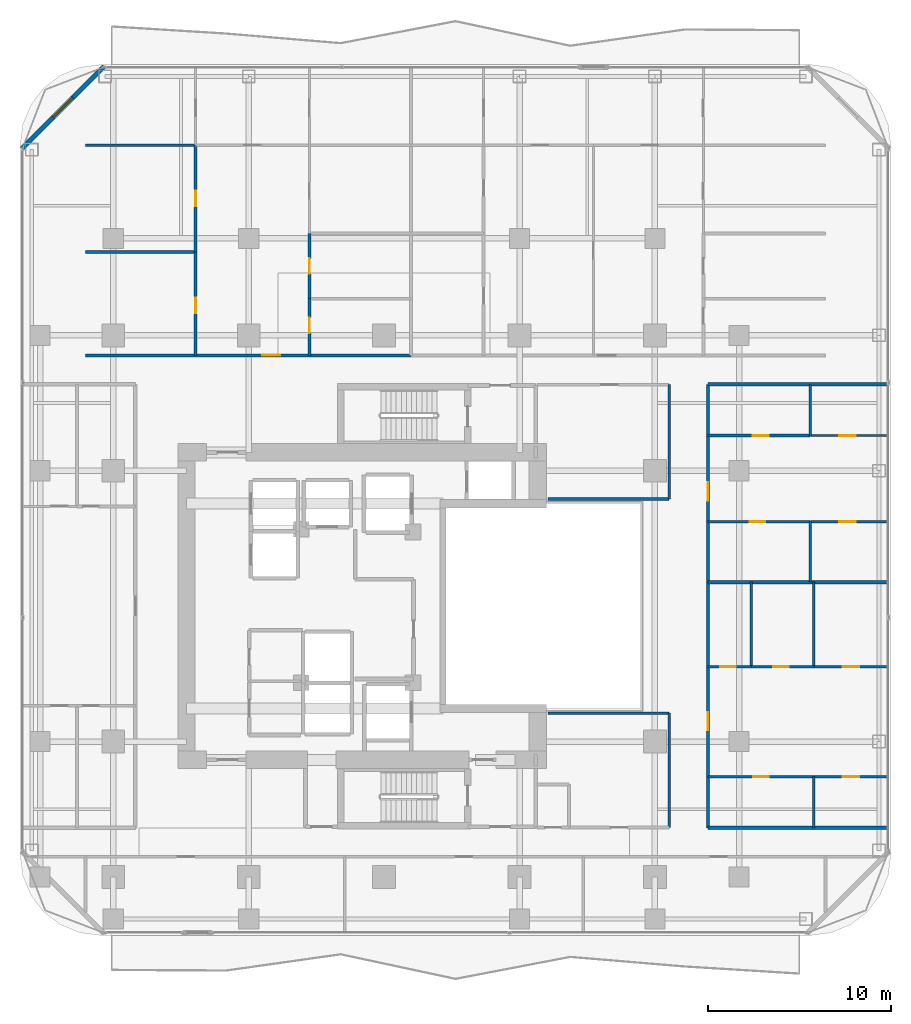
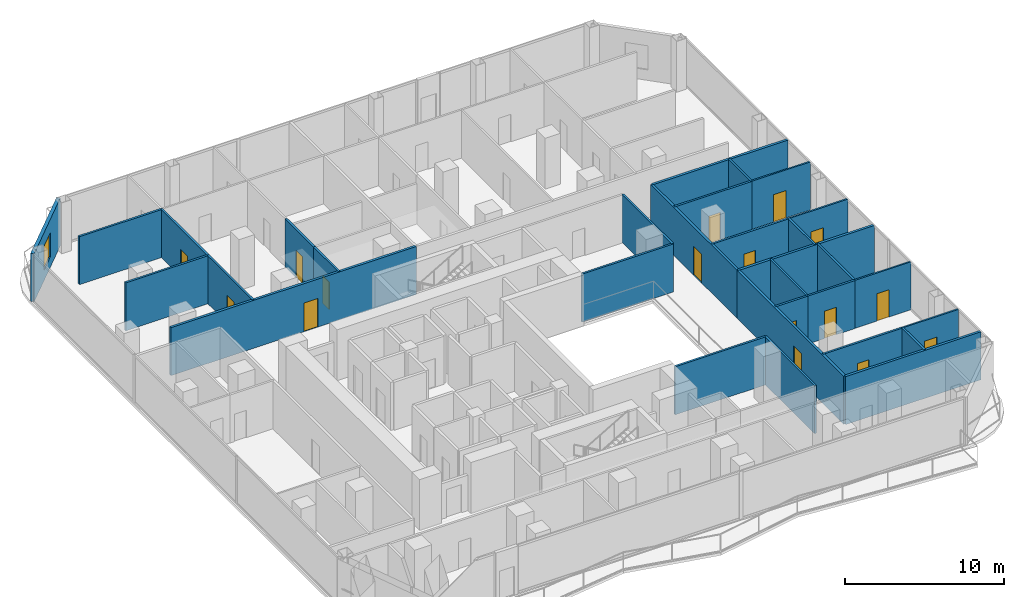
# One storey, part 22 of 27: 31 walls, 16 doors, 1 window, 17 openings.
"""IFC4 building model written with IfcOpenShell, lengths in metres."""

from ifc_helpers import new_model, si_unit, direction, frame, frame_2d, origin, place, context, subcontext, project, spatial, rectangle, extrude, material, layer, layer_set, type_object, element, fill, save


model = new_model("IFC4")

# Units and contexts
model_context = context("Model", 3, precision=1e-05, world=origin(), true_north=direction((0.0, 1.0)))
body_context = subcontext(model_context, "Body", "Model", "MODEL_VIEW")
ifc_project = project(units=[si_unit("LENGTHUNIT", "METRE"), si_unit("AREAUNIT", "SQUARE_METRE"), si_unit("VOLUMEUNIT", "CUBIC_METRE"), si_unit("PLANEANGLEUNIT", "RADIAN"), si_unit("MASSUNIT", "GRAM", prefix="KILO")], contexts=[model_context])

# Site, building, storey
site_placement = place(None, origin())
site = spatial("IfcSite", under=ifc_project, at=site_placement, CompositionType="ELEMENT")
building_placement = place(site_placement, origin())
building = spatial("IfcBuilding", under=site, at=building_placement, Name="Khorvyn Point Tower", CompositionType="ELEMENT")
storey_placement = place(building_placement, frame((0.0, 0.0, 129.0)))
storey = spatial("IfcBuildingStorey", under=building, at=storey_placement, Name="L32", CompositionType="ELEMENT", Elevation=129.0)

# Wall, opening, door
ifc_material_1 = material(Name="Double acoustic gypsum on twin steel stud", Category="steel")
ifc_layer_1 = layer(ifc_material_1, 0.179931640625)
ifc_layer_set_1 = layer_set([ifc_layer_1], Name="Acoustic Double-Stud Apartment Demising Wall 180")
wall_type_1 = type_object("IfcWallType", Name="Acoustic Double-Stud Apartment Demising Wall 180", PredefinedType="PARTITIONING", material=ifc_layer_set_1)
wall_1_placement = place(storey_placement, frame((-16.320068359375, 13.699951171875, 0.0), z_axis=(0.0, 0.0, 1.0), x_axis=(1.0, 0.0, 0.0)))
wall_1 = element("IfcWall", 1, at=wall_1_placement, inside=storey, type_object=wall_type_1, Name="Wall", PredefinedType="PARTITIONING", context=body_context, shape_type="SweptSolid", body=[
    extrude(rectangle(XDim=17.794189453125, YDim=0.179931640625, at=frame_2d((8.89697265625, 0.0))), origin(), (0.0, 0.0, 1.0), 3.679931640625),
])
opening_1_placement = place(wall_1_placement, frame((9.650390625, 0.0, 0.0)))
opening_1 = element("IfcOpeningElement", 2, at=opening_1_placement, cuts=wall_1, Name="Opening ID-AP60", PredefinedType="OPENING", context=body_context, shape_type="SweptSolid", body=[
    extrude(rectangle(XDim=1.0, YDim=2.199951171875, at=frame_2d((0.5, 1.10009765625))), frame((0.0, 0.099853515625, 0.0), z_axis=(0.0, -1.0, 0.0), x_axis=(1.0, 0.0, 0.0)), (0.0, 0.0, 1.0), 0.199951171875),
])
ifc_material_2 = material(Name="Engineered hardwood fire-rated leaf", Category="wood")
door_type_1 = type_object("IfcDoorType", Name="Acoustic Solid-Core Timber Apartment Entrance Door 1000x2200", OperationType="NOTDEFINED", PredefinedType="DOOR", material=ifc_material_2)
door_1_placement = place(opening_1_placement, origin())
door_1 = element("IfcDoor", 3, at=door_1_placement, inside=storey, type_object=door_type_1, Name="Door", OperationType="SINGLE_SWING_RIGHT", OverallHeight=2.199951171875, OverallWidth=1.0, PredefinedType="DOOR", context=body_context, shape_type="SweptSolid", body=[
    extrude(rectangle(XDim=1.0, YDim=2.199951171875, at=frame_2d((0.5, 1.10009765625))), frame((0.0, 0.02490234375, 0.0), z_axis=(0.0, -1.0, 0.0), x_axis=(1.0, 0.0, 0.0)), (0.0, 0.0, 1.0), 0.050048828125),
])
fill(opening_1, door_1)

wall_2_placement = place(storey_placement, frame((17.699951171875, -12.1201171875, 0.0), z_axis=(0.0, 0.0, 1.0), x_axis=(0.0, 1.0, 0.0)))
wall_2 = element("IfcWall", 4, at=wall_2_placement, inside=storey, type_object=wall_type_1, Name="Wall", PredefinedType="PARTITIONING", context=body_context, shape_type="SweptSolid", body=[
    extrude(rectangle(XDim=13.42919921875, YDim=0.179931640625, at=frame_2d((6.714599609375, 0.0))), origin(), (0.0, 0.0, 1.0), 3.679931640625),
])
opening_2_placement = place(wall_2_placement, frame((5.32421875, 0.0, 0.0)))
opening_2 = element("IfcOpeningElement", 5, at=opening_2_placement, cuts=wall_2, Name="Opening ID-AP60", PredefinedType="OPENING", context=body_context, shape_type="SweptSolid", body=[
    extrude(rectangle(XDim=1.0, YDim=2.199951171875, at=frame_2d((0.5, 1.10009765625))), frame((0.0, 0.099853515625, 0.0), z_axis=(0.0, -1.0, 0.0), x_axis=(1.0, 0.0, 0.0)), (0.0, 0.0, 1.0), 0.199951171875),
])
door_2_placement = place(opening_2_placement, origin())
door_2 = element("IfcDoor", 6, at=door_2_placement, inside=storey, type_object=door_type_1, Name="Door", OperationType="SINGLE_SWING_RIGHT", OverallHeight=2.199951171875, OverallWidth=1.0, PredefinedType="DOOR", context=body_context, shape_type="SweptSolid", body=[
    extrude(rectangle(XDim=1.0, YDim=2.199951171875, at=frame_2d((0.5, 1.10009765625))), frame((0.0, 0.02490234375, 0.0), z_axis=(0.0, -1.0, 0.0), x_axis=(1.0, 0.0, 0.0)), (0.0, 0.0, 1.0), 0.050048828125),
])
fill(opening_2, door_2)

wall_3_placement = place(storey_placement, frame((17.699951171875, 1.30908203125, 0.0), z_axis=(0.0, 0.0, 1.0), x_axis=(0.0, 1.0, 0.0)))
wall_3 = element("IfcWall", 7, at=wall_3_placement, inside=storey, type_object=wall_type_1, Name="Wall", PredefinedType="PARTITIONING", context=body_context, shape_type="SweptSolid", body=[
    extrude(rectangle(XDim=10.81103515625, YDim=0.179931640625, at=frame_2d((5.405517578125, 0.0))), origin(), (0.0, 0.0, 1.0), 3.679931640625),
])
opening_3_placement = place(wall_3_placement, frame((4.457763671875, 0.0, 0.0)))
opening_3 = element("IfcOpeningElement", 8, at=opening_3_placement, cuts=wall_3, Name="Opening ID-AP60", PredefinedType="OPENING", context=body_context, shape_type="SweptSolid", body=[
    extrude(rectangle(XDim=1.0, YDim=2.199951171875, at=frame_2d((0.5, 1.10009765625))), frame((0.0, 0.099853515625, 0.0), z_axis=(0.0, -1.0, 0.0), x_axis=(1.0, 0.0, 0.0)), (0.0, 0.0, 1.0), 0.199951171875),
])
door_3_placement = place(opening_3_placement, origin())
door_3 = element("IfcDoor", 9, at=door_3_placement, inside=storey, type_object=door_type_1, Name="Door", OperationType="SINGLE_SWING_RIGHT", OverallHeight=2.199951171875, OverallWidth=1.0, PredefinedType="DOOR", context=body_context, shape_type="SweptSolid", body=[
    extrude(rectangle(XDim=1.0, YDim=2.199951171875, at=frame_2d((0.5, 1.10009765625))), frame((0.0, 0.02490234375, 0.0), z_axis=(0.0, -1.0, 0.0), x_axis=(1.0, 0.0, 0.0)), (0.0, 0.0, 1.0), 0.050048828125),
])
fill(opening_3, door_3)

# Walls
for number, where, z_axis, x_axis, name in (
    (10, (17.699951171875, 1.30908203125, 0.0), (0.0, 0.0, 1.0), (1.0, 0.0, 0.0), "Wall"),
    (11, (17.699951171875, -12.1201171875, 0.0), (0.0, 0.0, 1.0), (1.0, 0.0, 0.0), "Wall"),
    (12, (17.699951171875, 12.1201171875, 0.0), (0.0, 0.0, 1.0), (1.0, 0.0, 0.0), "Wall"),
):
    element("IfcWall", number, at=place(storey_placement, frame(where, z_axis=z_axis, x_axis=x_axis)), inside=storey, type_object=wall_type_1, Name=name, PredefinedType="PARTITIONING", context=body_context, shape_type="SweptSolid", body=[
        extrude(rectangle(XDim=9.830078125, YDim=0.179931640625, at=frame_2d((4.9150390625, 0.0))), origin(), (0.0, 0.0, 1.0), 3.679931640625),
    ])

# Wall, opening, window
ifc_material_3 = material(Name="Pale anodised aluminium rainscreen on steel stud", Category="steel")
ifc_layer_2 = layer(ifc_material_3, 0.239990234375)
ifc_layer_set_2 = layer_set([ifc_layer_2], Name="Anodised Aluminium Insulated Corner Spandrel Wall 240")
wall_type_2 = type_object("IfcWallType", Name="Anodised Aluminium Insulated Corner Spandrel Wall 240", PredefinedType="SOLIDWALL", material=ifc_layer_set_2)
wall_4_placement = place(storey_placement, frame((-19.79248046875, 25.007568359375, 0.0), z_axis=(0.0, 0.0, 1.0), x_axis=(0.707106781187, 0.707106781187, 0.0)))
wall_4 = element("IfcWall", 13, at=wall_4_placement, inside=storey, type_object=wall_type_2, Name="L32 Rounded Corner Wall NW", PredefinedType="SOLIDWALL", context=body_context, shape_type="SweptSolid", body=[
    extrude(rectangle(XDim=6.342529296875, YDim=0.239990234375, at=frame_2d((3.17138671875, 0.0))), origin(), (0.0, 0.0, 1.0), 3.679931640625),
])
opening_4_placement = place(wall_4_placement, frame((2.42138671875, 0.0, 0.800048828125)))
opening_4 = element("IfcOpeningElement", 14, at=opening_4_placement, cuts=wall_4, Name="Opening WN-1518", PredefinedType="OPENING", context=body_context, shape_type="SweptSolid", body=[
    extrude(rectangle(XDim=1.5, YDim=1.85009765625, at=frame_2d((0.75, 0.925048828125))), frame((0.0, 0.1298828125, 0.0), z_axis=(0.0, -1.0, 0.0), x_axis=(1.0, 0.0, 0.0)), (0.0, 0.0, 1.0), 0.260009765625),
])
ifc_material_4 = material(Name="Anodised aluminium 6063-T6 and laminated Low-E glass", Category="aluminium")
window_type = type_object("IfcWindowType", Name="Anodised Aluminium Rounded-Corner Panoramic Window 1500x1850", PartitioningType="SINGLE_PANEL", PredefinedType="WINDOW", material=ifc_material_4)
window_placement = place(opening_4_placement, origin())
window = element("IfcWindow", 15, at=window_placement, inside=storey, type_object=window_type, Name="L32 Corner Panoramic Window NW", OverallHeight=1.85009765625, OverallWidth=1.5, PartitioningType="SINGLE_PANEL", PredefinedType="WINDOW", context=body_context, shape_type="SweptSolid", body=[
    extrude(rectangle(XDim=1.5, YDim=1.85009765625, at=frame_2d((0.75, 0.925048828125))), frame((0.0, 0.030029296875, 0.0), z_axis=(0.0, -1.0, 0.0), x_axis=(1.0, 0.0, 0.0)), (0.0, 0.0, 1.0), 0.06005859375),
])
fill(opening_4, window)

# Wall, opening, door
ifc_material_5 = material(Name="Gypsum plasterboard on steel stud", Category="steel")
ifc_layer_3 = layer(ifc_material_5, 0.1201171875)
ifc_layer_set_3 = layer_set([ifc_layer_3], Name="Gypsum Acoustic Stud Room Partition Wall 120")
wall_type_3 = type_object("IfcWallType", Name="Gypsum Acoustic Stud Room Partition Wall 120", PredefinedType="PARTITIONING", material=ifc_layer_set_3)
wall_5_placement = place(storey_placement, frame((23.486083984375, -9.320068359375, 0.0), z_axis=(0.0, 0.0, 1.0), x_axis=(1.0, 0.0, 0.0)))
wall_5 = element("IfcWall", 16, at=wall_5_placement, inside=storey, type_object=wall_type_3, Name="Wall", PredefinedType="PARTITIONING", context=body_context, shape_type="SweptSolid", body=[
    extrude(rectangle(XDim=4.0439453125, YDim=0.1201171875, at=frame_2d((2.02197265625, 0.0))), origin(), (0.0, 0.0, 1.0), 3.679931640625),
])
opening_5_placement = place(wall_5_placement, frame((1.572021484375, 0.0, 0.0)))
opening_5 = element("IfcOpeningElement", 17, at=opening_5_placement, cuts=wall_5, Name="Opening ID-RM90", PredefinedType="OPENING", context=body_context, shape_type="SweptSolid", body=[
    extrude(rectangle(XDim=0.89990234375, YDim=2.10009765625, at=frame_2d((0.449951171875, 1.050048828125))), frame((0.0, 0.070068359375, 0.0), z_axis=(0.0, -1.0, 0.0), x_axis=(1.0, 0.0, 0.0)), (0.0, 0.0, 1.0), 0.14013671875),
])
ifc_material_6 = material(Name="Engineered oak veneer timber", Category="wood")
door_type_2 = type_object("IfcDoorType", Name="Flush Engineered Timber Room Door 900x2100", OperationType="NOTDEFINED", PredefinedType="DOOR", material=ifc_material_6)
door_4_placement = place(opening_5_placement, origin())
door_4 = element("IfcDoor", 18, at=door_4_placement, inside=storey, type_object=door_type_2, Name="Door", OperationType="SINGLE_SWING_RIGHT", OverallHeight=2.10009765625, OverallWidth=0.89990234375, PredefinedType="DOOR", context=body_context, shape_type="SweptSolid", body=[
    extrude(rectangle(XDim=0.89990234375, YDim=2.10009765625, at=frame_2d((0.449951171875, 1.050048828125))), frame((0.0, 0.02490234375, 0.0), z_axis=(0.0, -1.0, 0.0), x_axis=(1.0, 0.0, 0.0)), (0.0, 0.0, 1.0), 0.050048828125),
])
fill(opening_5, door_4)

wall_6_placement = place(storey_placement, frame((23.486083984375, -3.31689453125, 0.0), z_axis=(0.0, 0.0, 1.0), x_axis=(1.0, 0.0, 0.0)))
wall_6 = element("IfcWall", 19, at=wall_6_placement, inside=storey, type_object=wall_type_3, Name="Wall", PredefinedType="PARTITIONING", context=body_context, shape_type="SweptSolid", body=[
    extrude(rectangle(XDim=4.0439453125, YDim=0.1201171875, at=frame_2d((2.02197265625, 0.0))), origin(), (0.0, 0.0, 1.0), 3.679931640625),
])
opening_6_placement = place(wall_6_placement, frame((1.572021484375, 0.0, 0.0)))
opening_6 = element("IfcOpeningElement", 20, at=opening_6_placement, cuts=wall_6, Name="Opening ID-RM90", PredefinedType="OPENING", context=body_context, shape_type="SweptSolid", body=[
    extrude(rectangle(XDim=0.89990234375, YDim=2.10009765625, at=frame_2d((0.449951171875, 1.050048828125))), frame((0.0, 0.070068359375, 0.0), z_axis=(0.0, -1.0, 0.0), x_axis=(1.0, 0.0, 0.0)), (0.0, 0.0, 1.0), 0.14013671875),
])
door_5_placement = place(opening_6_placement, origin())
door_5 = element("IfcDoor", 21, at=door_5_placement, inside=storey, type_object=door_type_2, Name="Door", OperationType="SINGLE_SWING_LEFT", OverallHeight=2.10009765625, OverallWidth=0.89990234375, PredefinedType="DOOR", context=body_context, shape_type="SweptSolid", body=[
    extrude(rectangle(XDim=0.89990234375, YDim=2.10009765625, at=frame_2d((0.449951171875, 1.050048828125))), frame((0.0, 0.02490234375, 0.0), z_axis=(0.0, -1.0, 0.0), x_axis=(1.0, 0.0, 0.0)), (0.0, 0.0, 1.0), 0.050048828125),
])
fill(opening_6, door_5)

wall_7_placement = place(storey_placement, frame((23.2900390625, 4.612060546875, 0.0), z_axis=(0.0, 0.0, 1.0), x_axis=(1.0, 0.0, 0.0)))
wall_7 = element("IfcWall", 22, at=wall_7_placement, inside=storey, type_object=wall_type_3, Name="Wall", PredefinedType="PARTITIONING", context=body_context, shape_type="SweptSolid", body=[
    extrude(rectangle(XDim=4.239990234375, YDim=0.1201171875, at=frame_2d((2.1201171875, 0.0))), origin(), (0.0, 0.0, 1.0), 3.679931640625),
])
opening_7_placement = place(wall_7_placement, frame((1.581298828125, 0.0, 0.0)))
opening_7 = element("IfcOpeningElement", 23, at=opening_7_placement, cuts=wall_7, Name="Opening ID-RM90", PredefinedType="OPENING", context=body_context, shape_type="SweptSolid", body=[
    extrude(rectangle(XDim=0.89990234375, YDim=2.10009765625, at=frame_2d((0.449951171875, 1.050048828125))), frame((0.0, 0.070068359375, 0.0), z_axis=(0.0, -1.0, 0.0), x_axis=(1.0, 0.0, 0.0)), (0.0, 0.0, 1.0), 0.14013671875),
])
door_6_placement = place(opening_7_placement, origin())
door_6 = element("IfcDoor", 24, at=door_6_placement, inside=storey, type_object=door_type_2, Name="Door", OperationType="SINGLE_SWING_LEFT", OverallHeight=2.10009765625, OverallWidth=0.89990234375, PredefinedType="DOOR", context=body_context, shape_type="SweptSolid", body=[
    extrude(rectangle(XDim=0.89990234375, YDim=2.10009765625, at=frame_2d((0.449951171875, 1.050048828125))), frame((0.0, 0.02490234375, 0.0), z_axis=(0.0, -1.0, 0.0), x_axis=(1.0, 0.0, 0.0)), (0.0, 0.0, 1.0), 0.050048828125),
])
fill(opening_7, door_6)

wall_8_placement = place(storey_placement, frame((23.2900390625, 9.320068359375, 0.0), z_axis=(0.0, 0.0, 1.0), x_axis=(1.0, 0.0, 0.0)))
wall_8 = element("IfcWall", 25, at=wall_8_placement, inside=storey, type_object=wall_type_3, Name="Wall", PredefinedType="PARTITIONING", context=body_context, shape_type="SweptSolid", body=[
    extrude(rectangle(XDim=4.239990234375, YDim=0.1201171875, at=frame_2d((2.1201171875, 0.0))), origin(), (0.0, 0.0, 1.0), 3.679931640625),
])
opening_8_placement = place(wall_8_placement, frame((1.581298828125, 0.0, 0.0)))
opening_8 = element("IfcOpeningElement", 26, at=opening_8_placement, cuts=wall_8, Name="Opening ID-RM90", PredefinedType="OPENING", context=body_context, shape_type="SweptSolid", body=[
    extrude(rectangle(XDim=0.89990234375, YDim=2.10009765625, at=frame_2d((0.449951171875, 1.050048828125))), frame((0.0, 0.070068359375, 0.0), z_axis=(0.0, -1.0, 0.0), x_axis=(1.0, 0.0, 0.0)), (0.0, 0.0, 1.0), 0.14013671875),
])
door_7_placement = place(opening_8_placement, origin())
door_7 = element("IfcDoor", 27, at=door_7_placement, inside=storey, type_object=door_type_2, Name="Door", OperationType="SINGLE_SWING_RIGHT", OverallHeight=2.10009765625, OverallWidth=0.89990234375, PredefinedType="DOOR", context=body_context, shape_type="SweptSolid", body=[
    extrude(rectangle(XDim=0.89990234375, YDim=2.10009765625, at=frame_2d((0.449951171875, 1.050048828125))), frame((0.0, 0.02490234375, 0.0), z_axis=(0.0, -1.0, 0.0), x_axis=(1.0, 0.0, 0.0)), (0.0, 0.0, 1.0), 0.050048828125),
])
fill(opening_8, door_7)

ifc_material_7 = material(Name="Moisture-resistant gypsum and cement board", Category="gypsum")
ifc_layer_4 = layer(ifc_material_7, 0.14990234375)
ifc_layer_set_4 = layer_set([ifc_layer_4], Name="Moisture-Resistant Wet-Room Partition Wall 150")
wall_type_4 = type_object("IfcWallType", Name="Moisture-Resistant Wet-Room Partition Wall 150", PredefinedType="PARTITIONING", material=ifc_layer_set_4)
wall_9_placement = place(storey_placement, frame((-10.305908203125, 13.699951171875, 0.0), z_axis=(0.0, 0.0, 1.0), x_axis=(0.0, 1.0, 0.0)))
wall_9 = element("IfcWall", 28, at=wall_9_placement, inside=storey, type_object=wall_type_4, Name="Wall", PredefinedType="PARTITIONING", context=body_context, shape_type="SweptSolid", body=[
    extrude(rectangle(XDim=5.653076171875, YDim=0.14990234375, at=frame_2d((2.82666015625, 0.0))), origin(), (0.0, 0.0, 1.0), 3.679931640625),
])
opening_9_placement = place(wall_9_placement, frame((2.311767578125, 0.0, 0.0)))
opening_9 = element("IfcOpeningElement", 29, at=opening_9_placement, cuts=wall_9, Name="Opening ID-WC85", PredefinedType="OPENING", context=body_context, shape_type="SweptSolid", body=[
    extrude(rectangle(XDim=0.85009765625, YDim=2.10009765625, at=frame_2d((0.425048828125, 1.050048828125))), frame((0.0, 0.0849609375, 0.0), z_axis=(0.0, -1.0, 0.0), x_axis=(1.0, 0.0, 0.0)), (0.0, 0.0, 1.0), 0.169921875),
])
ifc_material_8 = material(Name="High-pressure laminate on moisture-resistant core", Category="wood")
door_type_3 = type_object("IfcDoorType", Name="Moisture-Resistant Accessible Washroom Door 850x2100", OperationType="NOTDEFINED", PredefinedType="DOOR", material=ifc_material_8)
door_8_placement = place(opening_9_placement, origin())
door_8 = element("IfcDoor", 30, at=door_8_placement, inside=storey, type_object=door_type_3, Name="Door", OperationType="SINGLE_SWING_RIGHT", OverallHeight=2.10009765625, OverallWidth=0.85009765625, PredefinedType="DOOR", context=body_context, shape_type="SweptSolid", body=[
    extrude(rectangle(XDim=0.85009765625, YDim=2.10009765625, at=frame_2d((0.425048828125, 1.050048828125))), frame((0.0, 0.02490234375, 0.0), z_axis=(0.0, -1.0, 0.0), x_axis=(1.0, 0.0, 0.0)), (0.0, 0.0, 1.0), 0.050048828125),
])
fill(opening_9, door_8)

wall_10_placement = place(storey_placement, frame((-10.305908203125, 19.35302734375, 0.0), z_axis=(0.0, 0.0, 1.0), x_axis=(0.0, 1.0, 0.0)))
wall_10 = element("IfcWall", 31, at=wall_10_placement, inside=storey, type_object=wall_type_4, Name="Wall", PredefinedType="PARTITIONING", context=body_context, shape_type="SweptSolid", body=[
    extrude(rectangle(XDim=5.8369140625, YDim=0.14990234375, at=frame_2d((2.91845703125, 0.0))), origin(), (0.0, 0.0, 1.0), 3.679931640625),
])
opening_10_placement = place(wall_10_placement, frame((2.493408203125, 0.0, 0.0)))
opening_10 = element("IfcOpeningElement", 32, at=opening_10_placement, cuts=wall_10, Name="Opening ID-WC85", PredefinedType="OPENING", context=body_context, shape_type="SweptSolid", body=[
    extrude(rectangle(XDim=0.85009765625, YDim=2.10009765625, at=frame_2d((0.425048828125, 1.050048828125))), frame((0.0, 0.0849609375, 0.0), z_axis=(0.0, -1.0, 0.0), x_axis=(1.0, 0.0, 0.0)), (0.0, 0.0, 1.0), 0.169921875),
])
door_9_placement = place(opening_10_placement, origin())
door_9 = element("IfcDoor", 33, at=door_9_placement, inside=storey, type_object=door_type_3, Name="Door", OperationType="SINGLE_SWING_LEFT", OverallHeight=2.10009765625, OverallWidth=0.85009765625, PredefinedType="DOOR", context=body_context, shape_type="SweptSolid", body=[
    extrude(rectangle(XDim=0.85009765625, YDim=2.10009765625, at=frame_2d((0.425048828125, 1.050048828125))), frame((0.0, 0.02490234375, 0.0), z_axis=(0.0, -1.0, 0.0), x_axis=(1.0, 0.0, 0.0)), (0.0, 0.0, 1.0), 0.050048828125),
])
fill(opening_10, door_9)

wall_11_placement = place(storey_placement, frame((-4.077880859375, 13.699951171875, 0.0), z_axis=(0.0, 0.0, 1.0), x_axis=(0.0, 1.0, 0.0)))
wall_11 = element("IfcWall", 34, at=wall_11_placement, inside=storey, type_object=wall_type_4, Name="Wall", PredefinedType="PARTITIONING", context=body_context, shape_type="SweptSolid", body=[
    extrude(rectangle(XDim=3.10205078125, YDim=0.14990234375, at=frame_2d((1.551025390625, 0.0))), origin(), (0.0, 0.0, 1.0), 3.679931640625),
])
opening_11_placement = place(wall_11_placement, frame((1.2138671875, 0.0, 0.0)))
opening_11 = element("IfcOpeningElement", 35, at=opening_11_placement, cuts=wall_11, Name="Opening ID-WC85", PredefinedType="OPENING", context=body_context, shape_type="SweptSolid", body=[
    extrude(rectangle(XDim=0.85009765625, YDim=2.10009765625, at=frame_2d((0.425048828125, 1.050048828125))), frame((0.0, 0.0849609375, 0.0), z_axis=(0.0, -1.0, 0.0), x_axis=(1.0, 0.0, 0.0)), (0.0, 0.0, 1.0), 0.169921875),
])
door_10_placement = place(opening_11_placement, origin())
door_10 = element("IfcDoor", 36, at=door_10_placement, inside=storey, type_object=door_type_3, Name="Door", OperationType="SINGLE_SWING_LEFT", OverallHeight=2.10009765625, OverallWidth=0.85009765625, PredefinedType="DOOR", context=body_context, shape_type="SweptSolid", body=[
    extrude(rectangle(XDim=0.85009765625, YDim=2.10009765625, at=frame_2d((0.425048828125, 1.050048828125))), frame((0.0, 0.02490234375, 0.0), z_axis=(0.0, -1.0, 0.0), x_axis=(1.0, 0.0, 0.0)), (0.0, 0.0, 1.0), 0.050048828125),
])
fill(opening_11, door_10)

wall_12_placement = place(storey_placement, frame((-4.077880859375, 16.802001953125, 0.0), z_axis=(0.0, 0.0, 1.0), x_axis=(0.0, 1.0, 0.0)))
wall_12 = element("IfcWall", 37, at=wall_12_placement, inside=storey, type_object=wall_type_4, Name="Wall", PredefinedType="PARTITIONING", context=body_context, shape_type="SweptSolid", body=[
    extrude(rectangle(XDim=3.56201171875, YDim=0.14990234375, at=frame_2d((1.781005859375, 0.0))), origin(), (0.0, 0.0, 1.0), 3.679931640625),
])
opening_12_placement = place(wall_12_placement, frame((1.35595703125, 0.0, 0.0)))
opening_12 = element("IfcOpeningElement", 38, at=opening_12_placement, cuts=wall_12, Name="Opening ID-WC85", PredefinedType="OPENING", context=body_context, shape_type="SweptSolid", body=[
    extrude(rectangle(XDim=0.85009765625, YDim=2.10009765625, at=frame_2d((0.425048828125, 1.050048828125))), frame((0.0, 0.0849609375, 0.0), z_axis=(0.0, -1.0, 0.0), x_axis=(1.0, 0.0, 0.0)), (0.0, 0.0, 1.0), 0.169921875),
])
door_11_placement = place(opening_12_placement, origin())
door_11 = element("IfcDoor", 39, at=door_11_placement, inside=storey, type_object=door_type_3, Name="Door", OperationType="SINGLE_SWING_RIGHT", OverallHeight=2.10009765625, OverallWidth=0.85009765625, PredefinedType="DOOR", context=body_context, shape_type="SweptSolid", body=[
    extrude(rectangle(XDim=0.85009765625, YDim=2.10009765625, at=frame_2d((0.425048828125, 1.050048828125))), frame((0.0, 0.02490234375, 0.0), z_axis=(0.0, -1.0, 0.0), x_axis=(1.0, 0.0, 0.0)), (0.0, 0.0, 1.0), 0.050048828125),
])
fill(opening_12, door_11)

wall_13_placement = place(storey_placement, frame((17.699951171875, -3.31689453125, 0.0), z_axis=(0.0, 0.0, 1.0), x_axis=(1.0, 0.0, 0.0)))
wall_13 = element("IfcWall", 40, at=wall_13_placement, inside=storey, type_object=wall_type_4, Name="Wall", PredefinedType="PARTITIONING", context=body_context, shape_type="SweptSolid", body=[
    extrude(rectangle(XDim=2.3720703125, YDim=0.14990234375, at=frame_2d((1.18603515625, 0.0))), origin(), (0.0, 0.0, 1.0), 3.679931640625),
])
opening_13_placement = place(wall_13_placement, frame((0.675048828125, 0.0, 0.0)))
opening_13 = element("IfcOpeningElement", 41, at=opening_13_placement, cuts=wall_13, Name="Opening ID-WC85", PredefinedType="OPENING", context=body_context, shape_type="SweptSolid", body=[
    extrude(rectangle(XDim=0.85009765625, YDim=2.10009765625, at=frame_2d((0.425048828125, 1.050048828125))), frame((0.0, 0.0849609375, 0.0), z_axis=(0.0, -1.0, 0.0), x_axis=(1.0, 0.0, 0.0)), (0.0, 0.0, 1.0), 0.169921875),
])
door_12_placement = place(opening_13_placement, origin())
door_12 = element("IfcDoor", 42, at=door_12_placement, inside=storey, type_object=door_type_3, Name="Door", OperationType="SINGLE_SWING_LEFT", OverallHeight=2.10009765625, OverallWidth=0.85009765625, PredefinedType="DOOR", context=body_context, shape_type="SweptSolid", body=[
    extrude(rectangle(XDim=0.85009765625, YDim=2.10009765625, at=frame_2d((0.425048828125, 1.050048828125))), frame((0.0, 0.02490234375, 0.0), z_axis=(0.0, -1.0, 0.0), x_axis=(1.0, 0.0, 0.0)), (0.0, 0.0, 1.0), 0.050048828125),
])
fill(opening_13, door_12)

wall_14_placement = place(storey_placement, frame((20.072021484375, -3.31689453125, 0.0), z_axis=(0.0, 0.0, 1.0), x_axis=(1.0, 0.0, 0.0)))
wall_14 = element("IfcWall", 43, at=wall_14_placement, inside=storey, type_object=wall_type_4, Name="Wall", PredefinedType="PARTITIONING", context=body_context, shape_type="SweptSolid", body=[
    extrude(rectangle(XDim=3.4140625, YDim=0.14990234375, at=frame_2d((1.70703125, 0.0))), origin(), (0.0, 0.0, 1.0), 3.679931640625),
])
opening_14_placement = place(wall_14_placement, frame((1.19580078125, 0.0, 0.0)))
opening_14 = element("IfcOpeningElement", 44, at=opening_14_placement, cuts=wall_14, Name="Opening ID-WC85", PredefinedType="OPENING", context=body_context, shape_type="SweptSolid", body=[
    extrude(rectangle(XDim=0.85009765625, YDim=2.10009765625, at=frame_2d((0.425048828125, 1.050048828125))), frame((0.0, 0.0849609375, 0.0), z_axis=(0.0, -1.0, 0.0), x_axis=(1.0, 0.0, 0.0)), (0.0, 0.0, 1.0), 0.169921875),
])
door_13_placement = place(opening_14_placement, origin())
door_13 = element("IfcDoor", 45, at=door_13_placement, inside=storey, type_object=door_type_3, Name="Door", OperationType="SINGLE_SWING_RIGHT", OverallHeight=2.10009765625, OverallWidth=0.85009765625, PredefinedType="DOOR", context=body_context, shape_type="SweptSolid", body=[
    extrude(rectangle(XDim=0.85009765625, YDim=2.10009765625, at=frame_2d((0.425048828125, 1.050048828125))), frame((0.0, 0.02490234375, 0.0), z_axis=(0.0, -1.0, 0.0), x_axis=(1.0, 0.0, 0.0)), (0.0, 0.0, 1.0), 0.050048828125),
])
fill(opening_14, door_13)

wall_15_placement = place(storey_placement, frame((17.699951171875, -9.320068359375, 0.0), z_axis=(0.0, 0.0, 1.0), x_axis=(1.0, 0.0, 0.0)))
wall_15 = element("IfcWall", 46, at=wall_15_placement, inside=storey, type_object=wall_type_4, Name="Wall", PredefinedType="PARTITIONING", context=body_context, shape_type="SweptSolid", body=[
    extrude(rectangle(XDim=5.7861328125, YDim=0.14990234375, at=frame_2d((2.89306640625, 0.0))), origin(), (0.0, 0.0, 1.0), 3.679931640625),
])
opening_15_placement = place(wall_15_placement, frame((2.468017578125, 0.0, 0.0)))
opening_15 = element("IfcOpeningElement", 47, at=opening_15_placement, cuts=wall_15, Name="Opening ID-WC85", PredefinedType="OPENING", context=body_context, shape_type="SweptSolid", body=[
    extrude(rectangle(XDim=0.85009765625, YDim=2.10009765625, at=frame_2d((0.425048828125, 1.050048828125))), frame((0.0, 0.0849609375, 0.0), z_axis=(0.0, -1.0, 0.0), x_axis=(1.0, 0.0, 0.0)), (0.0, 0.0, 1.0), 0.169921875),
])
door_14_placement = place(opening_15_placement, origin())
door_14 = element("IfcDoor", 48, at=door_14_placement, inside=storey, type_object=door_type_3, Name="Door", OperationType="SINGLE_SWING_LEFT", OverallHeight=2.10009765625, OverallWidth=0.85009765625, PredefinedType="DOOR", context=body_context, shape_type="SweptSolid", body=[
    extrude(rectangle(XDim=0.85009765625, YDim=2.10009765625, at=frame_2d((0.425048828125, 1.050048828125))), frame((0.0, 0.02490234375, 0.0), z_axis=(0.0, -1.0, 0.0), x_axis=(1.0, 0.0, 0.0)), (0.0, 0.0, 1.0), 0.050048828125),
])
fill(opening_15, door_14)

wall_16_placement = place(storey_placement, frame((17.699951171875, 9.320068359375, 0.0), z_axis=(0.0, 0.0, 1.0), x_axis=(1.0, 0.0, 0.0)))
wall_16 = element("IfcWall", 49, at=wall_16_placement, inside=storey, type_object=wall_type_4, Name="Wall", PredefinedType="PARTITIONING", context=body_context, shape_type="SweptSolid", body=[
    extrude(rectangle(XDim=5.590087890625, YDim=0.14990234375, at=frame_2d((2.794921875, 0.0))), origin(), (0.0, 0.0, 1.0), 3.679931640625),
])
opening_16_placement = place(wall_16_placement, frame((2.45849609375, 0.0, 0.0)))
opening_16 = element("IfcOpeningElement", 50, at=opening_16_placement, cuts=wall_16, Name="Opening ID-WC85", PredefinedType="OPENING", context=body_context, shape_type="SweptSolid", body=[
    extrude(rectangle(XDim=0.85009765625, YDim=2.10009765625, at=frame_2d((0.425048828125, 1.050048828125))), frame((0.0, 0.0849609375, 0.0), z_axis=(0.0, -1.0, 0.0), x_axis=(1.0, 0.0, 0.0)), (0.0, 0.0, 1.0), 0.169921875),
])
door_15_placement = place(opening_16_placement, origin())
door_15 = element("IfcDoor", 51, at=door_15_placement, inside=storey, type_object=door_type_3, Name="Door", OperationType="SINGLE_SWING_LEFT", OverallHeight=2.10009765625, OverallWidth=0.85009765625, PredefinedType="DOOR", context=body_context, shape_type="SweptSolid", body=[
    extrude(rectangle(XDim=0.85009765625, YDim=2.10009765625, at=frame_2d((0.425048828125, 1.050048828125))), frame((0.0, 0.02490234375, 0.0), z_axis=(0.0, -1.0, 0.0), x_axis=(1.0, 0.0, 0.0)), (0.0, 0.0, 1.0), 0.050048828125),
])
fill(opening_16, door_15)

wall_17_placement = place(storey_placement, frame((17.699951171875, 4.612060546875, 0.0), z_axis=(0.0, 0.0, 1.0), x_axis=(1.0, 0.0, 0.0)))
wall_17 = element("IfcWall", 52, at=wall_17_placement, inside=storey, type_object=wall_type_4, Name="Wall", PredefinedType="PARTITIONING", context=body_context, shape_type="SweptSolid", body=[
    extrude(rectangle(XDim=5.590087890625, YDim=0.14990234375, at=frame_2d((2.794921875, 0.0))), origin(), (0.0, 0.0, 1.0), 3.679931640625),
])
opening_17_placement = place(wall_17_placement, frame((2.281494140625, 0.0, 0.0)))
opening_17 = element("IfcOpeningElement", 53, at=opening_17_placement, cuts=wall_17, Name="Opening ID-WC85", PredefinedType="OPENING", context=body_context, shape_type="SweptSolid", body=[
    extrude(rectangle(XDim=0.85009765625, YDim=2.10009765625, at=frame_2d((0.425048828125, 1.050048828125))), frame((0.0, 0.0849609375, 0.0), z_axis=(0.0, -1.0, 0.0), x_axis=(1.0, 0.0, 0.0)), (0.0, 0.0, 1.0), 0.169921875),
])
door_16_placement = place(opening_17_placement, origin())
door_16 = element("IfcDoor", 54, at=door_16_placement, inside=storey, type_object=door_type_3, Name="Door", OperationType="SINGLE_SWING_RIGHT", OverallHeight=2.10009765625, OverallWidth=0.85009765625, PredefinedType="DOOR", context=body_context, shape_type="SweptSolid", body=[
    extrude(rectangle(XDim=0.85009765625, YDim=2.10009765625, at=frame_2d((0.425048828125, 1.050048828125))), frame((0.0, 0.02490234375, 0.0), z_axis=(0.0, -1.0, 0.0), x_axis=(1.0, 0.0, 0.0)), (0.0, 0.0, 1.0), 0.050048828125),
])
fill(opening_17, door_16)

# Walls
wall_18_placement = place(storey_placement, frame((15.580078125, -12.10009765625, 0.0), z_axis=(0.0, 0.0, 1.0), x_axis=(0.0, 1.0, 0.0)))
element("IfcWall", 55, at=wall_18_placement, inside=storey, type_object=wall_type_4, Name="Wall", PredefinedType="PARTITIONING", context=body_context, shape_type="SweptSolid", body=[
    extrude(rectangle(XDim=6.25, YDim=0.14990234375, at=frame_2d((3.125, 0.0))), origin(), (0.0, 0.0, 1.0), 3.679931640625),
])
wall_19_placement = place(storey_placement, frame((8.9599609375, -5.85009765625, 0.0), z_axis=(0.0, 0.0, 1.0), x_axis=(1.0, 0.0, 0.0)))
element("IfcWall", 56, at=wall_19_placement, inside=storey, type_object=wall_type_4, Name="Wall", PredefinedType="PARTITIONING", context=body_context, shape_type="SweptSolid", body=[
    extrude(rectangle(XDim=6.6201171875, YDim=0.14990234375, at=frame_2d((3.31005859375, 0.0))), origin(), (0.0, 0.0, 1.0), 3.679931640625),
])
wall_20_placement = place(storey_placement, frame((15.580078125, 5.85009765625, 0.0), z_axis=(0.0, 0.0, 1.0), x_axis=(0.0, 1.0, 0.0)))
element("IfcWall", 57, at=wall_20_placement, inside=storey, type_object=wall_type_4, Name="Wall", PredefinedType="PARTITIONING", context=body_context, shape_type="SweptSolid", body=[
    extrude(rectangle(XDim=6.25, YDim=0.14990234375, at=frame_2d((3.125, 0.0))), origin(), (0.0, 0.0, 1.0), 3.679931640625),
])
wall_21_placement = place(storey_placement, frame((8.9599609375, 5.85009765625, 0.0), z_axis=(0.0, 0.0, 1.0), x_axis=(1.0, 0.0, 0.0)))
element("IfcWall", 58, at=wall_21_placement, inside=storey, type_object=wall_type_4, Name="Wall", PredefinedType="PARTITIONING", context=body_context, shape_type="SweptSolid", body=[
    extrude(rectangle(XDim=6.6201171875, YDim=0.14990234375, at=frame_2d((3.31005859375, 0.0))), origin(), (0.0, 0.0, 1.0), 3.679931640625),
])
for number, where, z_axis, x_axis, name in (
    (59, (-16.320068359375, 19.35302734375, 0.0), (0.0, 0.0, 1.0), (1.0, 0.0, 0.0), "Wall"),
    (60, (-16.320068359375, 25.18994140625, 0.0), (0.0, 0.0, 1.0), (1.0, 0.0, 0.0), "Wall"),
):
    element("IfcWall", number, at=place(storey_placement, frame(where, z_axis=z_axis, x_axis=x_axis)), inside=storey, type_object=wall_type_4, Name=name, PredefinedType="PARTITIONING", context=body_context, shape_type="SweptSolid", body=[
        extrude(rectangle(XDim=6.01416015625, YDim=0.14990234375, at=frame_2d((3.007080078125, 0.0))), origin(), (0.0, 0.0, 1.0), 3.679931640625),
    ])
wall_22_placement = place(storey_placement, frame((20.072021484375, -3.31689453125, 0.0), z_axis=(0.0, 0.0, 1.0), x_axis=(0.0, 1.0, 0.0)))
element("IfcWall", 61, at=wall_22_placement, inside=storey, type_object=wall_type_4, Name="Wall", PredefinedType="PARTITIONING", context=body_context, shape_type="SweptSolid", body=[
    extrude(rectangle(XDim=4.6259765625, YDim=0.14990234375, at=frame_2d((2.31298828125, 0.0))), origin(), (0.0, 0.0, 1.0), 3.679931640625),
])
wall_23_placement = place(storey_placement, frame((23.486083984375, -12.1201171875, 0.0), z_axis=(0.0, 0.0, 1.0), x_axis=(0.0, 1.0, 0.0)))
element("IfcWall", 62, at=wall_23_placement, inside=storey, type_object=wall_type_4, Name="Wall", PredefinedType="PARTITIONING", context=body_context, shape_type="SweptSolid", body=[
    extrude(rectangle(XDim=2.800048828125, YDim=0.14990234375, at=frame_2d((1.39990234375, 0.0))), origin(), (0.0, 0.0, 1.0), 3.679931640625),
])
wall_24_placement = place(storey_placement, frame((23.486083984375, -3.31689453125, 0.0), z_axis=(0.0, 0.0, 1.0), x_axis=(0.0, 1.0, 0.0)))
element("IfcWall", 63, at=wall_24_placement, inside=storey, type_object=wall_type_4, Name="Wall", PredefinedType="PARTITIONING", context=body_context, shape_type="SweptSolid", body=[
    extrude(rectangle(XDim=4.6259765625, YDim=0.14990234375, at=frame_2d((2.31298828125, 0.0))), origin(), (0.0, 0.0, 1.0), 3.679931640625),
])
wall_25_placement = place(storey_placement, frame((23.2900390625, 1.30908203125, 0.0), z_axis=(0.0, 0.0, 1.0), x_axis=(0.0, 1.0, 0.0)))
element("IfcWall", 64, at=wall_25_placement, inside=storey, type_object=wall_type_4, Name="Wall", PredefinedType="PARTITIONING", context=body_context, shape_type="SweptSolid", body=[
    extrude(rectangle(XDim=3.302978515625, YDim=0.14990234375, at=frame_2d((1.6513671875, 0.0))), origin(), (0.0, 0.0, 1.0), 3.679931640625),
])
wall_26_placement = place(storey_placement, frame((23.2900390625, 9.320068359375, 0.0), z_axis=(0.0, 0.0, 1.0), x_axis=(0.0, 1.0, 0.0)))
element("IfcWall", 65, at=wall_26_placement, inside=storey, type_object=wall_type_4, Name="Wall", PredefinedType="PARTITIONING", context=body_context, shape_type="SweptSolid", body=[
    extrude(rectangle(XDim=2.800048828125, YDim=0.14990234375, at=frame_2d((1.39990234375, 0.0))), origin(), (0.0, 0.0, 1.0), 3.679931640625),
])

save(model, "model.ifc")
